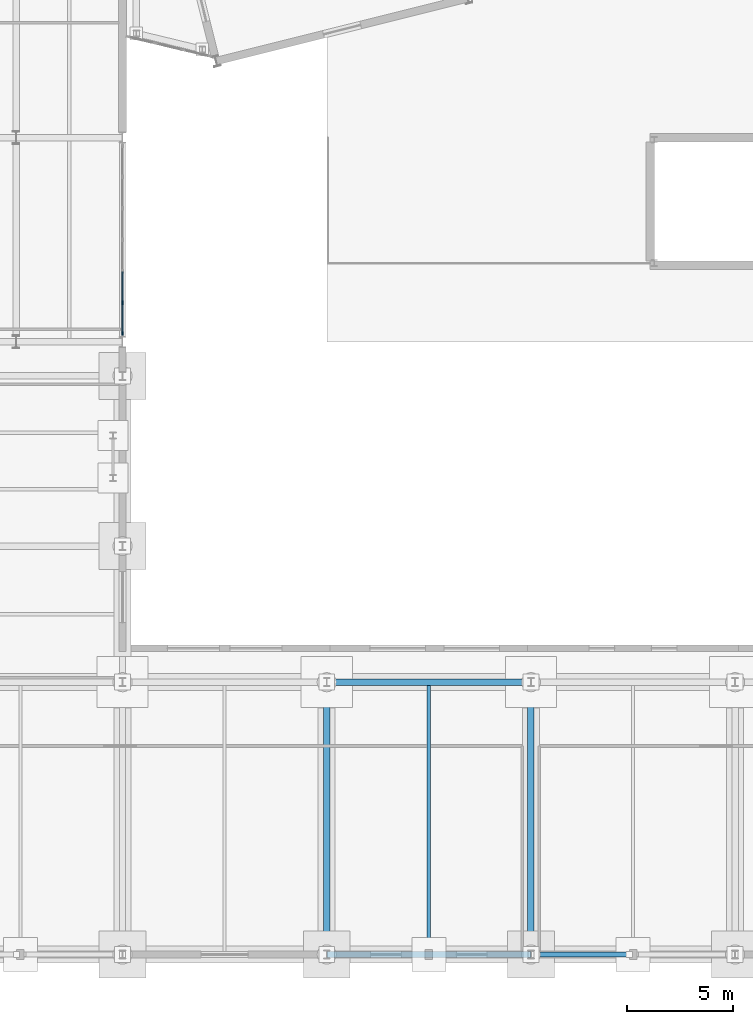
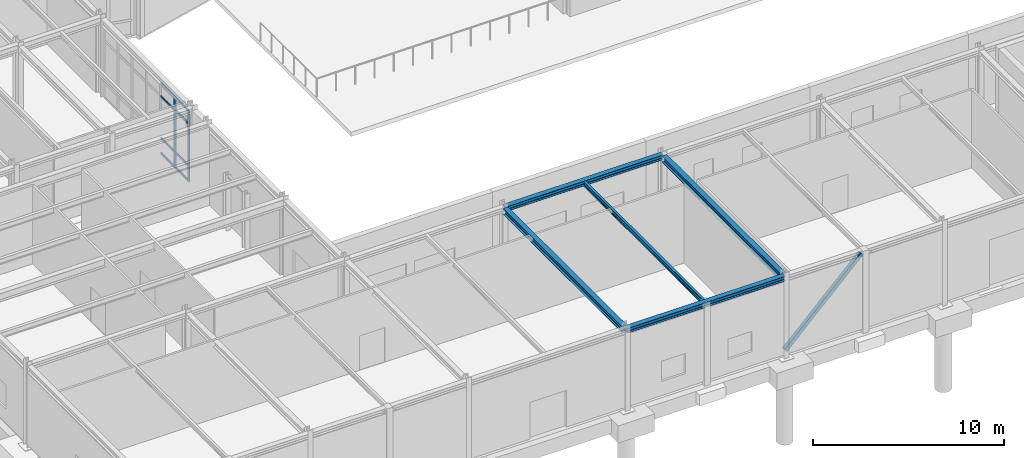
# One storey, part 21 of 109: 11 members, 5 beams, 1 element without a shape of its own.
"""IFC4 building model written with IfcOpenShell, lengths in metres."""

from ifc_helpers import new_model, si_unit, direction, frame, origin, origin_2d, place, context, subcontext, project, spatial, rectangle, hollow_rectangle, i_section, extrude, material, layer, layer_set, material_profile, profile_set, type_object, element, aggregate, save


model = new_model("IFC4")

# Units and contexts
model_context = context("Model", 3, precision=1e-05, world=origin(), true_north=direction((0.0, 1.0)))
body_context = subcontext(model_context, "Body", "Model", "MODEL_VIEW")
ifc_project = project(units=[si_unit("LENGTHUNIT", "METRE"), si_unit("AREAUNIT", "SQUARE_METRE"), si_unit("VOLUMEUNIT", "CUBIC_METRE"), si_unit("PLANEANGLEUNIT", "RADIAN"), si_unit("MASSUNIT", "GRAM", prefix="KILO")], contexts=[model_context])

# Site, building, storey
site_placement = place(None, origin())
site = spatial("IfcSite", under=ifc_project, at=site_placement, CompositionType="ELEMENT")
building_placement = place(site_placement, origin())
building = spatial("IfcBuilding", under=site, at=building_placement, Name="Nordkorset Police Headquarters", CompositionType="ELEMENT")
storey_placement = place(building_placement, origin())
storey = spatial("IfcBuildingStorey", under=building, at=storey_placement, Name="L00", CompositionType="ELEMENT", Elevation=0.0)

# Beam
ifc_material_1 = material(Name="Steel S355J2", Category="steel")
ifc_material_profile_1 = material_profile(ifc_material_1, i_section(OverallWidth=0.14990234375, OverallDepth=0.300048828125, WebThickness=0.007080078125, FlangeThickness=0.0107421875, FilletRadius=0.014892578125, at=origin_2d()), Name="IPE 300")
ifc_profile_set_1 = profile_set([ifc_material_profile_1], Name="Steel S355J2")
beam_type_1 = type_object("IfcBeamType", Name="Beam_IPE_300", PredefinedType="JOIST", material=ifc_profile_set_1)
beam_placement = place(storey_placement, frame((33.60009765625, 0.14990234375, 4.85009765625), z_axis=(0.0, 1.0, 0.0), x_axis=(-1.0, 0.0, 0.0)))
element("IfcBeam", 1, at=beam_placement, inside=storey, type_object=beam_type_1, Name="Composite Floor Beam V7S L00 3-0-1", PredefinedType="JOIST", context=body_context, shape_type="SweptSolid", body=[
    extrude(i_section(OverallWidth=0.14990234375, OverallDepth=0.300048828125, WebThickness=0.007080078125, FlangeThickness=0.0107421875, FilletRadius=0.014892578125, at=origin_2d()), origin(), (0.0, 0.0, 1.0), 12.5),
])

# Member
ifc_material_2 = material(Name="Steel S355J2", Category="steel")
ifc_material_profile_2 = material_profile(ifc_material_2, hollow_rectangle(XDim=0.25, YDim=0.25, WallThickness=0.012451171875, InnerFilletRadius=0.012451171875, OuterFilletRadius=0.02490234375, at=origin_2d()), Name="SHS 250x250x12.5")
ifc_profile_set_2 = profile_set([ifc_material_profile_2], Name="Steel S355J2")
member_type_1 = type_object("IfcMemberType", Name="Brace_SHS_250x250x12.5", PredefinedType="BRACE", material=ifc_profile_set_2)
member_1_placement = place(storey_placement, frame((38.40673828125, 0.0, 0.199951171875), z_axis=(0.709655969555, 0.0, 0.704548369436), x_axis=(0.0, 1.0, 0.0)))
element("IfcMember", 2, at=member_1_placement, inside=storey, type_object=member_type_1, Name="Lateral Chevron Brace BF-EXT-V7S4 L00 D1", PredefinedType="BRACE", context=body_context, shape_type="SweptSolid", body=[
    extrude(hollow_rectangle(XDim=0.25, YDim=0.25, WallThickness=0.012451171875, InnerFilletRadius=0.012451171875, OuterFilletRadius=0.02490234375, at=origin_2d()), origin(), (0.0, 0.0, 1.0), 6.500732421875),
])

# Curtain wall, members
ifc_material_3 = material(Name="Aluminium alloy AW-6060", Category="aluminium")
ifc_layer = layer(ifc_material_3, 0.179931640625, Name="Aluminium alloy AW-6060")
ifc_layer_set = layer_set([ifc_layer], Name="Aluminium alloy AW-6060")
curtain_wall_type = type_object("IfcCurtainWallType", Name="CW_Unit_888x454", PredefinedType="USERDEFINED", material=ifc_layer_set)
curtain_wall_placement = place(storey_placement, origin())
curtain_wall = element("IfcCurtainWall", 3, at=curtain_wall_placement, inside=storey, type_object=curtain_wall_type, Name="Unitised Curtain Wall L00 V3E-0", ObjectType="UNITISED CURTAIN WALL", PredefinedType="USERDEFINED")
ifc_material_4 = material(Name="Aluminium alloy AW-6060", Category="aluminium")
ifc_material_profile_3 = material_profile(ifc_material_4, rectangle(XDim=0.06494140625, YDim=0.179931640625, at=origin_2d()), Name="ALU MULL 65x180")
ifc_profile_set_3 = profile_set([ifc_material_profile_3], Name="Aluminium alloy AW-6060")
member_type_2 = type_object("IfcMemberType", Name="CW_Mullion_65x180", PredefinedType="MULLION", material=ifc_profile_set_3)
member_2_placement = place(storey_placement, frame((19.199951171875, 29.1923828125, 0.0), z_axis=(0.0, 0.0, 1.0), x_axis=(-1.0, 0.0, 0.0)))
member_2 = element("IfcMember", 4, at=member_2_placement, type_object=member_type_2, Name="CW-82 mullion 1", PredefinedType="MULLION", context=body_context, shape_type="SweptSolid", body=[
    extrude(rectangle(XDim=0.06494140625, YDim=0.179931640625, at=origin_2d()), origin(), (0.0, 0.0, 1.0), 4.5400390625),
])
member_3_placement = place(storey_placement, frame((19.199951171875, 30.639892578125, 0.0), z_axis=(0.0, 0.0, 1.0), x_axis=(-1.0, 0.0, 0.0)))
member_3 = element("IfcMember", 5, at=member_3_placement, type_object=member_type_2, Name="CW-82 mullion 2", PredefinedType="MULLION", context=body_context, shape_type="SweptSolid", body=[
    extrude(rectangle(XDim=0.06494140625, YDim=0.179931640625, at=origin_2d()), origin(), (0.0, 0.0, 1.0), 4.5400390625),
])
ifc_material_5 = material(Name="Aluminium alloy AW-6060", Category="aluminium")
ifc_material_profile_4 = material_profile(ifc_material_5, rectangle(XDim=0.06494140625, YDim=0.139892578125, at=origin_2d()), Name="ALU TRAN 65x140")
ifc_profile_set_4 = profile_set([ifc_material_profile_4], Name="Aluminium alloy AW-6060")
member_type_3 = type_object("IfcMemberType", Name="CW_Transom_65x140", PredefinedType="USERDEFINED", material=ifc_profile_set_4)
member_4_placement = place(storey_placement, frame((19.199951171875, 29.22509765625, 0.032470703125), z_axis=(0.0, 1.0, 0.0), x_axis=(-1.0, 0.0, 0.0)))
member_4 = element("IfcMember", 6, at=member_4_placement, type_object=member_type_3, Name="CW-82 transom 1.1", ObjectType="TRANSOM", PredefinedType="USERDEFINED", context=body_context, shape_type="SweptSolid", body=[
    extrude(rectangle(XDim=0.06494140625, YDim=0.139892578125, at=origin_2d()), origin(), (0.0, 0.0, 1.0), 1.38232421875),
])
member_5_placement = place(storey_placement, frame((19.199951171875, 29.22509765625, 1.0), z_axis=(0.0, 1.0, 0.0), x_axis=(-1.0, 0.0, 0.0)))
member_5 = element("IfcMember", 7, at=member_5_placement, type_object=member_type_3, Name="CW-82 transom 1.2", ObjectType="TRANSOM", PredefinedType="USERDEFINED", context=body_context, shape_type="SweptSolid", body=[
    extrude(rectangle(XDim=0.06494140625, YDim=0.139892578125, at=origin_2d()), origin(), (0.0, 0.0, 1.0), 1.38232421875),
])
member_6_placement = place(storey_placement, frame((19.199951171875, 29.22509765625, 3.68994140625), z_axis=(0.0, 1.0, 0.0), x_axis=(-1.0, 0.0, 0.0)))
member_6 = element("IfcMember", 8, at=member_6_placement, type_object=member_type_3, Name="CW-82 transom 1.3", ObjectType="TRANSOM", PredefinedType="USERDEFINED", context=body_context, shape_type="SweptSolid", body=[
    extrude(rectangle(XDim=0.06494140625, YDim=0.139892578125, at=origin_2d()), origin(), (0.0, 0.0, 1.0), 1.38232421875),
])
member_7_placement = place(storey_placement, frame((19.199951171875, 29.22509765625, 4.507568359375), z_axis=(0.0, 1.0, 0.0), x_axis=(-1.0, 0.0, 0.0)))
member_7 = element("IfcMember", 9, at=member_7_placement, type_object=member_type_3, Name="CW-82 transom 1.4", ObjectType="TRANSOM", PredefinedType="USERDEFINED", context=body_context, shape_type="SweptSolid", body=[
    extrude(rectangle(XDim=0.06494140625, YDim=0.139892578125, at=origin_2d()), origin(), (0.0, 0.0, 1.0), 1.38232421875),
])
member_8_placement = place(storey_placement, frame((19.199951171875, 30.672607421875, 0.032470703125), z_axis=(0.0, 1.0, 0.0), x_axis=(-1.0, 0.0, 0.0)))
member_8 = element("IfcMember", 10, at=member_8_placement, type_object=member_type_3, Name="CW-82 transom 2.1", ObjectType="TRANSOM", PredefinedType="USERDEFINED", context=body_context, shape_type="SweptSolid", body=[
    extrude(rectangle(XDim=0.06494140625, YDim=0.139892578125, at=origin_2d()), origin(), (0.0, 0.0, 1.0), 1.414794921875),
])
member_9_placement = place(storey_placement, frame((19.199951171875, 30.672607421875, 1.0), z_axis=(0.0, 1.0, 0.0), x_axis=(-1.0, 0.0, 0.0)))
member_9 = element("IfcMember", 11, at=member_9_placement, type_object=member_type_3, Name="CW-82 transom 2.2", ObjectType="TRANSOM", PredefinedType="USERDEFINED", context=body_context, shape_type="SweptSolid", body=[
    extrude(rectangle(XDim=0.06494140625, YDim=0.139892578125, at=origin_2d()), origin(), (0.0, 0.0, 1.0), 1.414794921875),
])
member_10_placement = place(storey_placement, frame((19.199951171875, 30.672607421875, 3.68994140625), z_axis=(0.0, 1.0, 0.0), x_axis=(-1.0, 0.0, 0.0)))
member_10 = element("IfcMember", 12, at=member_10_placement, type_object=member_type_3, Name="CW-82 transom 2.3", ObjectType="TRANSOM", PredefinedType="USERDEFINED", context=body_context, shape_type="SweptSolid", body=[
    extrude(rectangle(XDim=0.06494140625, YDim=0.139892578125, at=origin_2d()), origin(), (0.0, 0.0, 1.0), 1.414794921875),
])
member_11_placement = place(storey_placement, frame((19.199951171875, 30.672607421875, 4.507568359375), z_axis=(0.0, 1.0, 0.0), x_axis=(-1.0, 0.0, 0.0)))
member_11 = element("IfcMember", 13, at=member_11_placement, type_object=member_type_3, Name="CW-82 transom 2.4", ObjectType="TRANSOM", PredefinedType="USERDEFINED", context=body_context, shape_type="SweptSolid", body=[
    extrude(rectangle(XDim=0.06494140625, YDim=0.139892578125, at=origin_2d()), origin(), (0.0, 0.0, 1.0), 1.414794921875),
])
aggregate(curtain_wall, [member_2, member_3, member_4, member_5, member_6, member_7, member_8, member_9, member_10, member_11])

# Beams
ifc_material_6 = material(Name="Steel S355J2", Category="steel")
ifc_material_profile_5 = material_profile(ifc_material_6, i_section(OverallWidth=0.300048828125, OverallDepth=0.389892578125, WebThickness=0.010986328125, FlangeThickness=0.01904296875, FilletRadius=0.027099609375, at=origin_2d()), Name="HEA 400")
ifc_profile_set_5 = profile_set([ifc_material_profile_5], Name="Steel S355J2")
beam_type_2 = type_object("IfcBeamType", Name="Girder_HEA_400", PredefinedType="USERDEFINED", material=ifc_profile_set_5)
for number, where, z_axis, x_axis, name in (
    (14, (28.800048828125, 0.199951171875, 4.804931640625), (0.0, 1.0, 0.0), (-1.0, 0.0, 0.0), "Girder V7S L00 GY-3-0"),
    (15, (38.39990234375, 0.199951171875, 4.804931640625), (0.0, 1.0, 0.0), (-1.0, 0.0, 0.0), "Girder V7S L00 GY-4-0"),
):
    element("IfcBeam", number, at=place(storey_placement, frame(where, z_axis=z_axis, x_axis=x_axis)), inside=storey, type_object=beam_type_2, Name=name, ObjectType="GIRDER", PredefinedType="USERDEFINED", context=body_context, shape_type="SweptSolid", body=[
        extrude(i_section(OverallWidth=0.300048828125, OverallDepth=0.389892578125, WebThickness=0.010986328125, FlangeThickness=0.01904296875, FilletRadius=0.027099609375, at=origin_2d()), origin(), (0.0, 0.0, 1.0), 12.400146484375),
    ])
ifc_material_7 = material(Name="Steel S355J2", Category="steel")
ifc_material_profile_6 = material_profile(ifc_material_7, i_section(OverallWidth=0.300048828125, OverallDepth=0.31005859375, WebThickness=0.009033203125, FlangeThickness=0.015380859375, FilletRadius=0.027099609375, at=origin_2d()), Name="HEA 320")
ifc_profile_set_6 = profile_set([ifc_material_profile_6], Name="Steel S355J2")
beam_type_3 = type_object("IfcBeamType", Name="Spandrel_HEA_320", PredefinedType="SPANDREL", material=ifc_profile_set_6)
for number, where, z_axis, x_axis, name in (
    (16, (28.806640625, 0.0, 4.844970703125), (1.0, 0.0, 0.0), (0.0, 1.0, 0.0), "Girder V7S L00 GX-0-3"),
    (17, (28.806640625, 12.800048828125, 4.844970703125), (1.0, 0.0, 0.0), (0.0, 1.0, 0.0), "Girder V7S L00 GX-1-3"),
):
    element("IfcBeam", number, at=place(storey_placement, frame(where, z_axis=z_axis, x_axis=x_axis)), inside=storey, type_object=beam_type_3, Name=name, PredefinedType="SPANDREL", context=body_context, shape_type="SweptSolid", body=[
        extrude(i_section(OverallWidth=0.300048828125, OverallDepth=0.31005859375, WebThickness=0.009033203125, FlangeThickness=0.015380859375, FilletRadius=0.027099609375, at=origin_2d()), origin(), (0.0, 0.0, 1.0), 9.586669921875),
    ])

save(model, "model.ifc")
